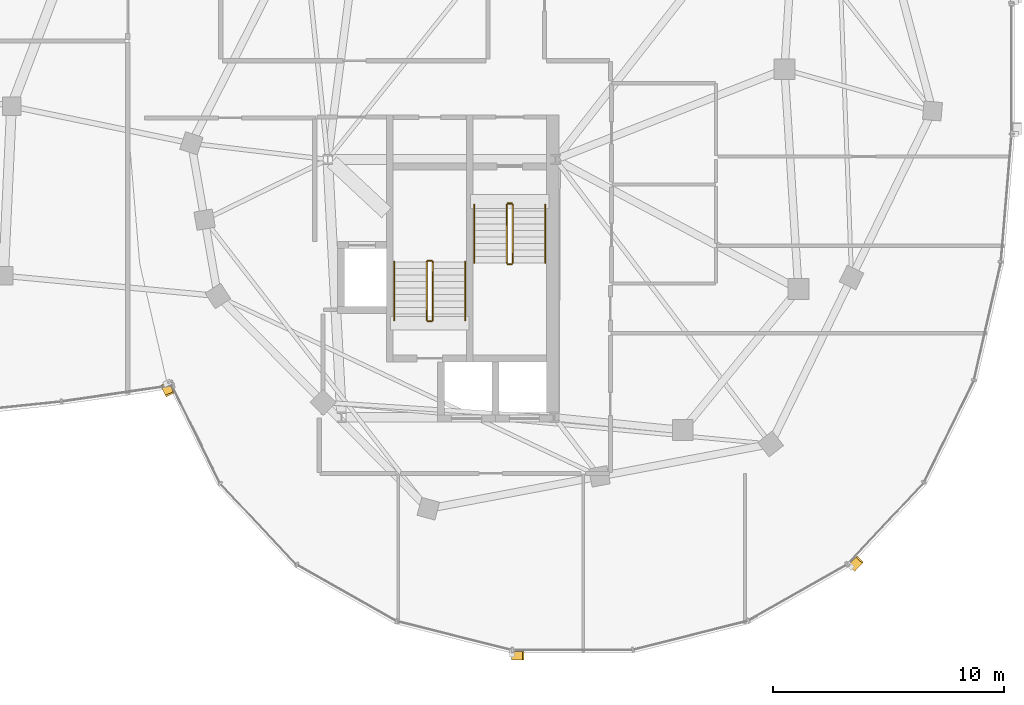
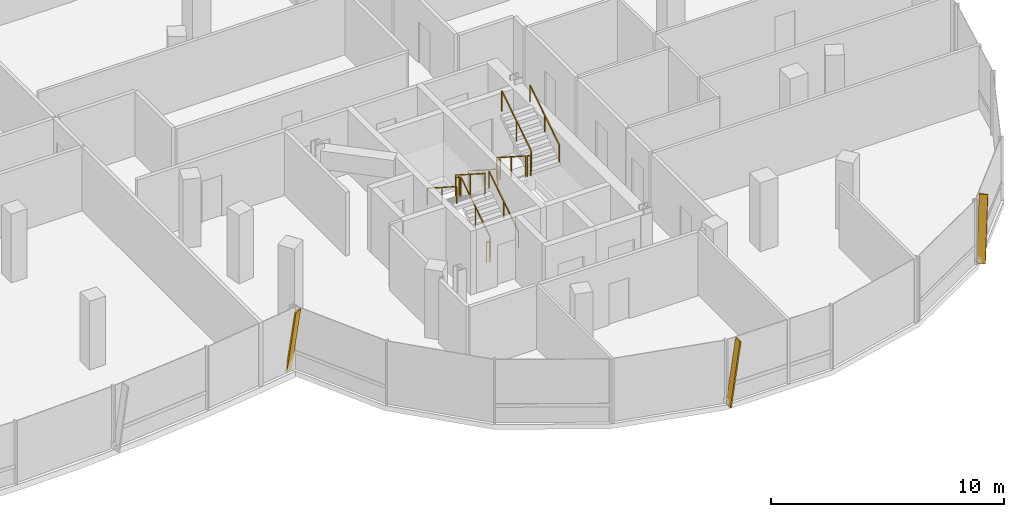
# One storey, part 25 of 26: 12 railings, 3 shading devices.
"""IFC4 building model written with IfcOpenShell, lengths in metres."""

from ifc_helpers import new_model, si_unit, direction, frame, origin, origin_2d, place, context, subcontext, project, spatial, rectangle, extrude, material, material_profile, profile_set, type_object, element, save


model = new_model("IFC4")

# Units and contexts
model_context = context("Model", 3, precision=1e-05, world=origin(), true_north=direction((0.0, 1.0)))
body_context = subcontext(model_context, "Body", "Model", "MODEL_VIEW")
ifc_project = project(units=[si_unit("LENGTHUNIT", "METRE"), si_unit("AREAUNIT", "SQUARE_METRE"), si_unit("VOLUMEUNIT", "CUBIC_METRE"), si_unit("PLANEANGLEUNIT", "RADIAN"), si_unit("MASSUNIT", "GRAM", prefix="KILO"), si_unit("THERMODYNAMICTEMPERATUREUNIT", "KELVIN"), si_unit("POWERUNIT", "WATT")], contexts=[model_context])

# Site, building, storey
site_placement = place(None, origin())
site = spatial("IfcSite", under=ifc_project, at=site_placement, CompositionType="ELEMENT")
building_placement = place(site_placement, origin())
building = spatial("IfcBuilding", under=site, at=building_placement, Name="Cundina Bronze Exchange", CompositionType="ELEMENT")
storey_placement = place(building_placement, frame((0.0, 0.0, 264.800048828125)))
storey = spatial("IfcBuildingStorey", under=building, at=storey_placement, Name="L70", CompositionType="ELEMENT", Elevation=264.800048828125)

# Railings
ifc_material_1 = material(Name="Steel ASTM A36 Painted", Category="steel")
railing_type_1 = type_object("IfcRailingType", Name="RLG-HND-900", PredefinedType="HANDRAIL", material=ifc_material_1)
railing_1_placement = place(storey_placement, frame((27.7900390625, -5.85009765625, 0.179931640625)))
element("IfcRailing", 1, at=railing_1_placement, inside=storey, type_object=railing_type_1, Name="L70 ST-E1 stair handrail 1", PredefinedType="HANDRAIL", context=body_context, shape_type="SweptSolid", body=[
    extrude(rectangle(XDim=0.048095703125, YDim=0.048095703125, at=origin_2d()), frame((0.0, 0.0, 0.8759765625), z_axis=(0.0, -0.841162588446, 0.540782303519), x_axis=(1.0, 0.0, 0.0)), (0.0, 0.0, 1.0), 2.995849609375),
    extrude(rectangle(XDim=0.0419921875, YDim=0.0419921875, at=origin_2d()), origin(), (0.0, 0.0, 1.0), 0.851806640625),
    extrude(rectangle(XDim=0.0419921875, YDim=0.0419921875, at=origin_2d()), frame((0.0, -1.260009765625, 0.81005859375)), (0.0, 0.0, 1.0), 0.851806640625),
    extrude(rectangle(XDim=0.0419921875, YDim=0.0419921875, at=origin_2d()), frame((0.0, -2.52001953125, 1.6201171875)), (0.0, 0.0, 1.0), 0.851806640625),
])
railing_2_placement = place(storey_placement, frame((30.85009765625, -8.3701171875, 1.97998046875)))
element("IfcRailing", 2, at=railing_2_placement, inside=storey, type_object=railing_type_1, Name="L70 ST-E1 stair handrail 2", PredefinedType="HANDRAIL", context=body_context, shape_type="SweptSolid", body=[
    extrude(rectangle(XDim=0.048095703125, YDim=0.048095703125, at=origin_2d()), frame((0.0, 0.0, 0.8759765625), z_axis=(0.0, 0.841199657755, 0.540724639528), x_axis=(-1.0, 0.0, 0.0)), (0.0, 0.0, 1.0), 2.995849609375),
    extrude(rectangle(XDim=0.0419921875, YDim=0.0419921875, at=origin_2d()), origin(), (0.0, 0.0, 1.0), 0.851806640625),
    extrude(rectangle(XDim=0.0419921875, YDim=0.0419921875, at=origin_2d()), frame((0.0, 1.260009765625, 0.81005859375)), (0.0, 0.0, 1.0), 0.851806640625),
    extrude(rectangle(XDim=0.0419921875, YDim=0.0419921875, at=origin_2d()), frame((0.0, 2.52001953125, 1.619873046875)), (0.0, 0.0, 1.0), 0.851806640625),
])
railing_3_placement = place(storey_placement, frame((27.389892578125, -10.85009765625, 0.179931640625)))
element("IfcRailing", 3, at=railing_3_placement, inside=storey, type_object=railing_type_1, Name="L70 ST-E2 stair handrail 1", PredefinedType="HANDRAIL", context=body_context, shape_type="SweptSolid", body=[
    extrude(rectangle(XDim=0.048095703125, YDim=0.048095703125, at=origin_2d()), frame((0.0, 0.0, 0.8759765625), z_axis=(0.0, 0.841162588446, 0.540782303519), x_axis=(-1.0, 0.0, 0.0)), (0.0, 0.0, 1.0), 2.995849609375),
    extrude(rectangle(XDim=0.0419921875, YDim=0.0419921875, at=origin_2d()), origin(), (0.0, 0.0, 1.0), 0.851806640625),
    extrude(rectangle(XDim=0.0419921875, YDim=0.0419921875, at=origin_2d()), frame((0.0, 1.260009765625, 0.81005859375)), (0.0, 0.0, 1.0), 0.851806640625),
    extrude(rectangle(XDim=0.0419921875, YDim=0.0419921875, at=origin_2d()), frame((0.0, 2.52001953125, 1.6201171875)), (0.0, 0.0, 1.0), 0.851806640625),
])
railing_4_placement = place(storey_placement, frame((24.330078125, -8.330078125, 1.97998046875)))
element("IfcRailing", 4, at=railing_4_placement, inside=storey, type_object=railing_type_1, Name="L70 ST-E2 stair handrail 2", PredefinedType="HANDRAIL", context=body_context, shape_type="SweptSolid", body=[
    extrude(rectangle(XDim=0.048095703125, YDim=0.048095703125, at=origin_2d()), frame((0.0, 0.0, 0.8759765625), z_axis=(0.0, -0.841199657755, 0.540724639528), x_axis=(1.0, 0.0, 0.0)), (0.0, 0.0, 1.0), 2.995849609375),
    extrude(rectangle(XDim=0.0419921875, YDim=0.0419921875, at=origin_2d()), origin(), (0.0, 0.0, 1.0), 0.851806640625),
    extrude(rectangle(XDim=0.0419921875, YDim=0.0419921875, at=origin_2d()), frame((0.0, -1.260009765625, 0.81005859375)), (0.0, 0.0, 1.0), 0.851806640625),
    extrude(rectangle(XDim=0.0419921875, YDim=0.0419921875, at=origin_2d()), frame((0.0, -2.52001953125, 1.619873046875)), (0.0, 0.0, 1.0), 0.851806640625),
])
railing_type_2 = type_object("IfcRailingType", Name="RLG-STG-1100", PredefinedType="GUARDRAIL", material=ifc_material_1)
railing_5_placement = place(storey_placement, frame((29.18994140625, -5.85009765625, 0.179931640625)))
element("IfcRailing", 5, at=railing_5_placement, inside=storey, type_object=railing_type_2, Name="L70 ST-E1 stair guard 1", PredefinedType="GUARDRAIL", context=body_context, shape_type="SweptSolid", body=[
    extrude(rectangle(XDim=0.048095703125, YDim=0.048095703125, at=origin_2d()), frame((0.0, 0.0, 1.076171875), z_axis=(0.0, -0.841162588446, 0.540782303519), x_axis=(1.0, 0.0, 0.0)), (0.0, 0.0, 1.0), 2.995849609375),
    extrude(rectangle(XDim=0.0419921875, YDim=0.0419921875, at=origin_2d()), origin(), (0.0, 0.0, 1.0), 1.052001953125),
    extrude(rectangle(XDim=0.0419921875, YDim=0.0419921875, at=origin_2d()), frame((0.0, -1.260009765625, 0.81005859375)), (0.0, 0.0, 1.0), 1.052001953125),
    extrude(rectangle(XDim=0.0419921875, YDim=0.0419921875, at=origin_2d()), frame((0.0, -2.52001953125, 1.6201171875)), (0.0, 0.0, 1.0), 1.052001953125),
])
railing_6_placement = place(storey_placement, frame((29.239990234375, -8.419921875, 1.800048828125)))
element("IfcRailing", 6, at=railing_6_placement, inside=storey, type_object=railing_type_2, Name="L70 ST-E1 stair guard 2", PredefinedType="GUARDRAIL", context=body_context, shape_type="SweptSolid", body=[
    extrude(rectangle(XDim=0.048095703125, YDim=0.048095703125, at=origin_2d()), frame((0.0, 0.0, 1.076171875), z_axis=(1.0, 0.0, 0.0), x_axis=(0.0, 1.0, 0.0)), (0.0, 0.0, 1.0), 0.159912109375),
    extrude(rectangle(XDim=0.0419921875, YDim=0.0419921875, at=origin_2d()), origin(), (0.0, 0.0, 1.0), 1.052001953125),
    extrude(rectangle(XDim=0.0419921875, YDim=0.0419921875, at=origin_2d()), frame((0.159912109375, 0.0, 0.0)), (0.0, 0.0, 1.0), 1.052001953125),
])
railing_7_placement = place(storey_placement, frame((29.449951171875, -8.3701171875, 1.97998046875)))
element("IfcRailing", 7, at=railing_7_placement, inside=storey, type_object=railing_type_2, Name="L70 ST-E1 stair guard 3", PredefinedType="GUARDRAIL", context=body_context, shape_type="SweptSolid", body=[
    extrude(rectangle(XDim=0.048095703125, YDim=0.048095703125, at=origin_2d()), frame((0.0, 0.0, 1.076171875), z_axis=(0.0, 0.841199657755, 0.540724639528), x_axis=(-1.0, 0.0, 0.0)), (0.0, 0.0, 1.0), 2.995849609375),
    extrude(rectangle(XDim=0.0419921875, YDim=0.0419921875, at=origin_2d()), origin(), (0.0, 0.0, 1.0), 1.052001953125),
    extrude(rectangle(XDim=0.0419921875, YDim=0.0419921875, at=origin_2d()), frame((0.0, 1.260009765625, 0.81005859375)), (0.0, 0.0, 1.0), 1.052001953125),
    extrude(rectangle(XDim=0.0419921875, YDim=0.0419921875, at=origin_2d()), frame((0.0, 2.52001953125, 1.619873046875)), (0.0, 0.0, 1.0), 1.052001953125),
])
railing_8_placement = place(storey_placement, frame((29.239990234375, -5.800048828125, 0.0)))
element("IfcRailing", 8, at=railing_8_placement, inside=storey, type_object=railing_type_2, Name="L70 ST-E1 stair guard 4", PredefinedType="GUARDRAIL", context=body_context, shape_type="SweptSolid", body=[
    extrude(rectangle(XDim=0.048095703125, YDim=0.048095703125, at=origin_2d()), frame((0.0, 0.0, 1.076171875), z_axis=(1.0, 0.0, 0.0), x_axis=(0.0, 1.0, 0.0)), (0.0, 0.0, 1.0), 0.159912109375),
    extrude(rectangle(XDim=0.0419921875, YDim=0.0419921875, at=origin_2d()), origin(), (0.0, 0.0, 1.0), 1.052001953125),
    extrude(rectangle(XDim=0.0419921875, YDim=0.0419921875, at=origin_2d()), frame((0.159912109375, 0.0, 0.0)), (0.0, 0.0, 1.0), 1.052001953125),
])
railing_9_placement = place(storey_placement, frame((25.989990234375, -10.85009765625, 0.179931640625)))
element("IfcRailing", 9, at=railing_9_placement, inside=storey, type_object=railing_type_2, Name="L70 ST-E2 stair guard 1", PredefinedType="GUARDRAIL", context=body_context, shape_type="SweptSolid", body=[
    extrude(rectangle(XDim=0.048095703125, YDim=0.048095703125, at=origin_2d()), frame((0.0, 0.0, 1.076171875), z_axis=(0.0, 0.841162588446, 0.540782303519), x_axis=(-1.0, 0.0, 0.0)), (0.0, 0.0, 1.0), 2.995849609375),
    extrude(rectangle(XDim=0.0419921875, YDim=0.0419921875, at=origin_2d()), origin(), (0.0, 0.0, 1.0), 1.052001953125),
    extrude(rectangle(XDim=0.0419921875, YDim=0.0419921875, at=origin_2d()), frame((0.0, 1.260009765625, 0.81005859375)), (0.0, 0.0, 1.0), 1.052001953125),
    extrude(rectangle(XDim=0.0419921875, YDim=0.0419921875, at=origin_2d()), frame((0.0, 2.52001953125, 1.6201171875)), (0.0, 0.0, 1.0), 1.052001953125),
])
railing_10_placement = place(storey_placement, frame((25.93994140625, -8.280029296875, 1.800048828125)))
element("IfcRailing", 10, at=railing_10_placement, inside=storey, type_object=railing_type_2, Name="L70 ST-E2 stair guard 2", PredefinedType="GUARDRAIL", context=body_context, shape_type="SweptSolid", body=[
    extrude(rectangle(XDim=0.048095703125, YDim=0.048095703125, at=origin_2d()), frame((0.0, 0.0, 1.076171875), z_axis=(-1.0, 0.0, 0.0), x_axis=(0.0, -1.0, 0.0)), (0.0, 0.0, 1.0), 0.159912109375),
    extrude(rectangle(XDim=0.0419921875, YDim=0.0419921875, at=origin_2d()), origin(), (0.0, 0.0, 1.0), 1.052001953125),
    extrude(rectangle(XDim=0.0419921875, YDim=0.0419921875, at=origin_2d()), frame((-0.159912109375, 0.0, 0.0)), (0.0, 0.0, 1.0), 1.052001953125),
])
railing_11_placement = place(storey_placement, frame((25.72998046875, -8.330078125, 1.97998046875)))
element("IfcRailing", 11, at=railing_11_placement, inside=storey, type_object=railing_type_2, Name="L70 ST-E2 stair guard 3", PredefinedType="GUARDRAIL", context=body_context, shape_type="SweptSolid", body=[
    extrude(rectangle(XDim=0.048095703125, YDim=0.048095703125, at=origin_2d()), frame((0.0, 0.0, 1.076171875), z_axis=(0.0, -0.841199657755, 0.540724639528), x_axis=(1.0, 0.0, 0.0)), (0.0, 0.0, 1.0), 2.995849609375),
    extrude(rectangle(XDim=0.0419921875, YDim=0.0419921875, at=origin_2d()), origin(), (0.0, 0.0, 1.0), 1.052001953125),
    extrude(rectangle(XDim=0.0419921875, YDim=0.0419921875, at=origin_2d()), frame((0.0, -1.260009765625, 0.81005859375)), (0.0, 0.0, 1.0), 1.052001953125),
    extrude(rectangle(XDim=0.0419921875, YDim=0.0419921875, at=origin_2d()), frame((0.0, -2.52001953125, 1.619873046875)), (0.0, 0.0, 1.0), 1.052001953125),
])
railing_12_placement = place(storey_placement, frame((25.93994140625, -10.89990234375, 0.0)))
element("IfcRailing", 12, at=railing_12_placement, inside=storey, type_object=railing_type_2, Name="L70 ST-E2 stair guard 4", PredefinedType="GUARDRAIL", context=body_context, shape_type="SweptSolid", body=[
    extrude(rectangle(XDim=0.048095703125, YDim=0.048095703125, at=origin_2d()), frame((0.0, 0.0, 1.076171875), z_axis=(-1.0, 0.0, 0.0), x_axis=(0.0, -1.0, 0.0)), (0.0, 0.0, 1.0), 0.159912109375),
    extrude(rectangle(XDim=0.0419921875, YDim=0.0419921875, at=origin_2d()), origin(), (0.0, 0.0, 1.0), 1.052001953125),
    extrude(rectangle(XDim=0.0419921875, YDim=0.0419921875, at=origin_2d()), frame((-0.159912109375, 0.0, 0.0)), (0.0, 0.0, 1.0), 1.052001953125),
])

# Shading devices
ifc_material_2 = material(Name="Anodised Bronze Aluminium 6063-T6", Category="aluminium")
ifc_material_profile = material_profile(ifc_material_2, rectangle(XDim=0.070068359375, YDim=0.3798828125, at=origin_2d()), Name="FIN70X380", Category="aluminium")
ifc_profile_set = profile_set([ifc_material_profile], Name="Anodised Bronze Aluminium 6063-T6")
shading_device_type = type_object("IfcShadingDeviceType", Name="SHD-FIN-BRZ380", PredefinedType="USERDEFINED", material=ifc_profile_set)
for number, where, z_axis, x_axis, name in (
    (13, (14.406494140625, -13.614013671875, 0.02001953125), (0.063400368732, -0.129216686851, 0.989587510574), (-0.435900311632, 0.888411143223, 0.143932480407), "L70 Diagonal Bronze Solar Fin 1"),
    (14, (29.423583984375, -25.360107421875, 0.02001953125), (0.143932024572, 0.0, 0.989587576874), (-0.989587576874, 0.0, 0.143932024572), "L70 Diagonal Bronze Solar Fin 5"),
    (15, (44.122314453125, -21.55078125, 0.02001953125), (0.098541444371, 0.10491076507, 0.989587446926), (-0.677505727677, -0.721296959704, 0.143932918008), "L70 Diagonal Bronze Solar Fin 1"),
):
    element("IfcShadingDevice", number, at=place(storey_placement, frame(where, z_axis=z_axis, x_axis=x_axis)), inside=storey, type_object=shading_device_type, Name=name, ObjectType="FIN", PredefinedType="USERDEFINED", context=body_context, shape_type="SweptSolid", body=[
        extrude(rectangle(XDim=0.070068359375, YDim=0.3798828125, at=origin_2d()), origin(), (0.0, 0.0, 1.0), 3.334716796875),
    ])

save(model, "model.ifc")
